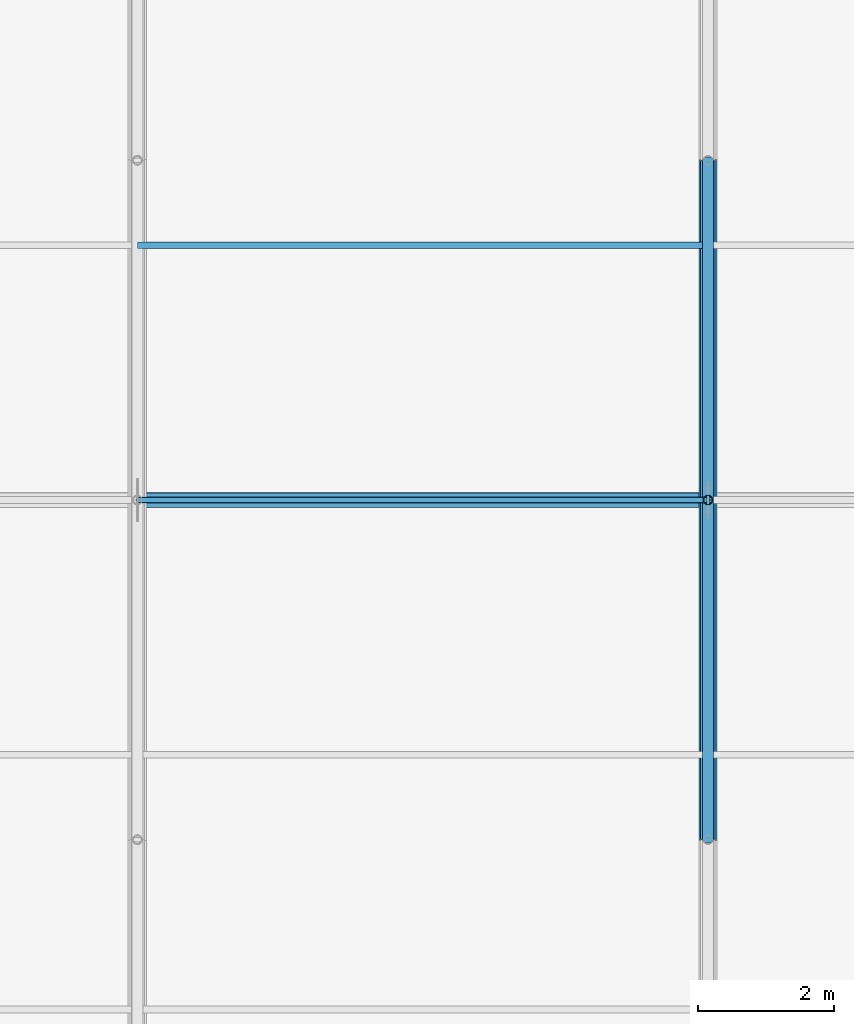
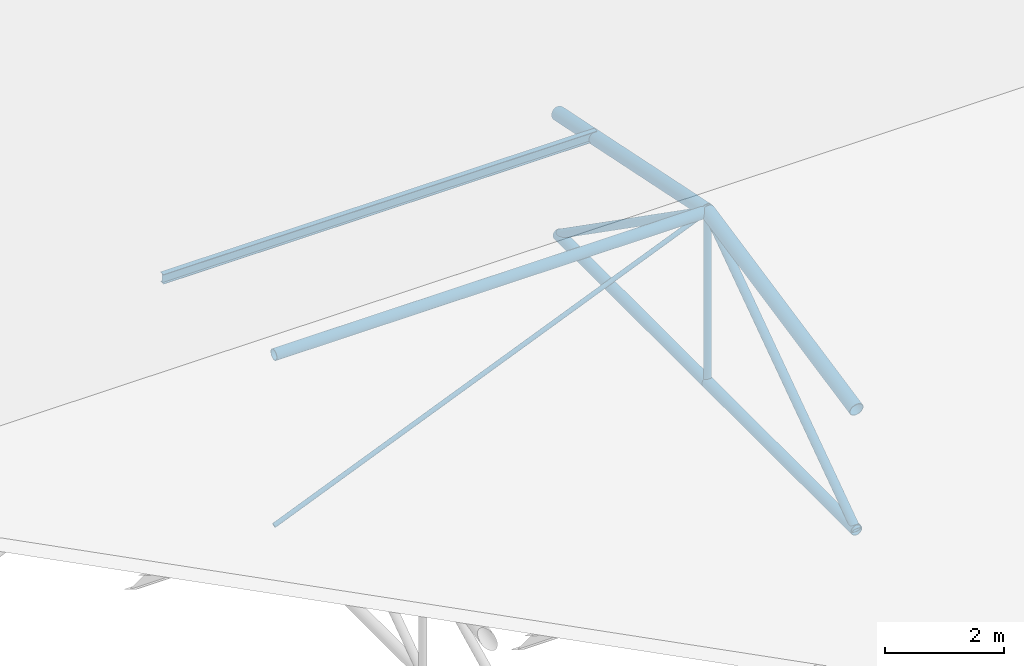
# One storey, part 55 of 194: 9 members, 1 beam.
"""IFC4 building model written with IfcOpenShell, lengths in metres."""

from ifc_helpers import new_model, si_unit, direction, frame, origin, origin_2d, place, context, subcontext, project, spatial, hollow_circle, i_section, extrude, material, material_profile, profile_set, type_object, element, save


model = new_model("IFC4")

# Units and contexts
model_context = context("Model", 3, precision=1e-05, world=origin(), true_north=direction((0.0, 1.0)))
body_context = subcontext(model_context, "Body", "Model", "MODEL_VIEW")
ifc_project = project(units=[si_unit("LENGTHUNIT", "METRE"), si_unit("AREAUNIT", "SQUARE_METRE"), si_unit("VOLUMEUNIT", "CUBIC_METRE"), si_unit("PLANEANGLEUNIT", "RADIAN"), si_unit("MASSUNIT", "GRAM", prefix="KILO")], contexts=[model_context])

# Site, building, storey
site_placement = place(None, origin())
site = spatial("IfcSite", under=ifc_project, at=site_placement, CompositionType="ELEMENT")
building_placement = place(site_placement, origin())
building = spatial("IfcBuilding", under=site, at=building_placement, Name="Kazenagashi Tramway Depot", CompositionType="ELEMENT")
storey_placement = place(building_placement, frame((0.0, 0.0, 23.7)))
storey = spatial("IfcBuildingStorey", under=building, at=storey_placement, Name="ROOF", CompositionType="ELEMENT", Elevation=23.7)

# Beam
ifc_material_1 = material(Name="Steel SN400B", Category="steel")
ifc_material_profile_1 = material_profile(ifc_material_1, i_section(OverallWidth=0.1, OverallDepth=0.2, WebThickness=0.0055, FlangeThickness=0.008, at=origin_2d()), Name="H-200x100x5.5x8")
ifc_profile_set_1 = profile_set([ifc_material_profile_1], Name="Steel SN400B")
beam_type = type_object("IfcBeamType", Name="PR-01", PredefinedType="USERDEFINED", material=ifc_profile_set_1)
beam_placement = place(storey_placement, frame((95.2, 118.75, -11.305), z_axis=(1.0, 0.0, 0.0), x_axis=(0.0, 1.0, 0.0)))
element("IfcBeam", 1, at=beam_placement, inside=storey, type_object=beam_type, Name="Beam PR-01 BM-2186", ObjectType="PURLIN", PredefinedType="USERDEFINED", context=body_context, shape_type="SweptSolid", body=[
    extrude(i_section(OverallWidth=0.1, OverallDepth=0.2, WebThickness=0.0055, FlangeThickness=0.008, at=origin_2d()), origin(), (0.0, 0.0, 1.0), 8.4),
])

# Members
ifc_material_2 = material(Name="Steel STK490", Category="steel")
ifc_material_profile_2 = material_profile(ifc_material_2, hollow_circle(Radius=0.1337, WallThickness=0.0093, at=origin_2d()), Name="CHS-267.4x9.3")
ifc_profile_set_2 = profile_set([ifc_material_profile_2], Name="Steel STK490")
member_type_1 = type_object("IfcMemberType", Name="TC-01", PredefinedType="CHORD", material=ifc_profile_set_2)
for number, where, z_axis, x_axis, name in (
    (2, (103.6, 110.0, -11.633), (0.0, 0.979317999984, 0.202327098797), (-1.0, 0.0, 0.0), "Tubular Space Frame TC-01 MEM-0465"),
    (3, (103.6, 115.0, -10.6), (0.0, 0.979317999984, -0.202327098797), (-1.0, 0.0, 0.0), "Tubular Space Frame TC-01 MEM-0468"),
):
    element("IfcMember", number, at=place(storey_placement, frame(where, z_axis=z_axis, x_axis=x_axis)), inside=storey, type_object=member_type_1, Name=name, PredefinedType="CHORD", context=body_context, shape_type="SweptSolid", body=[
        extrude(hollow_circle(Radius=0.1337, WallThickness=0.0093, at=origin_2d()), origin(), (0.0, 0.0, 1.0), 5.105594),
    ])
ifc_material_profile_3 = material_profile(ifc_material_2, hollow_circle(Radius=0.10815, WallThickness=0.0082, at=origin_2d()), Name="CHS-216.3x8.2")
ifc_profile_set_3 = profile_set([ifc_material_profile_3], Name="Steel STK490")
member_type_2 = type_object("IfcMemberType", Name="TC-02", PredefinedType="CHORD", material=ifc_profile_set_3)
member_1_placement = place(storey_placement, frame((95.2, 115.0, -10.6), z_axis=(1.0, 0.0, 0.0), x_axis=(0.0, 1.0, 0.0)))
element("IfcMember", 4, at=member_1_placement, inside=storey, type_object=member_type_2, Name="Tubular Space Frame TC-02 MEM-0424", PredefinedType="CHORD", context=body_context, shape_type="SweptSolid", body=[
    extrude(hollow_circle(Radius=0.10815, WallThickness=0.0082, at=origin_2d()), origin(), (0.0, 0.0, 1.0), 8.4),
])
for number, where, z_axis, x_axis, name in (
    (5, (103.6, 110.0, -14.1), (0.0, 1.0, 0.0), (-1.0, 0.0, 0.0), "Tubular Space Frame TC-02 MEM-0466"),
    (6, (103.6, 115.0, -14.1), (0.0, 1.0, 0.0), (-1.0, 0.0, 0.0), "Tubular Space Frame TC-02 MEM-0469"),
):
    element("IfcMember", number, at=place(storey_placement, frame(where, z_axis=z_axis, x_axis=x_axis)), inside=storey, type_object=member_type_2, Name=name, PredefinedType="CHORD", context=body_context, shape_type="SweptSolid", body=[
        extrude(hollow_circle(Radius=0.10815, WallThickness=0.0082, at=origin_2d()), origin(), (0.0, 0.0, 1.0), 5.0),
    ])
ifc_material_profile_4 = material_profile(ifc_material_2, hollow_circle(Radius=0.0826, WallThickness=0.0071, at=origin_2d()), Name="CHS-165.2x7.1")
ifc_profile_set_4 = profile_set([ifc_material_profile_4], Name="Steel STK490")
member_type_3 = type_object("IfcMemberType", Name="TS-01", PredefinedType="STRUT", material=ifc_profile_set_4)
for number, where, z_axis, x_axis, name in (
    (7, (103.6, 110.0, -14.1), (0.0, 0.819231920519, 0.573462344363), (-1.0, 0.0, 0.0), "Tubular Space Frame TS-01 MEM-0467"),
    (8, (103.6, 115.0, -10.6), (0.0, 0.819231920519, -0.573462344363), (-1.0, 0.0, 0.0), "Tubular Space Frame TS-01 MEM-0470"),
):
    element("IfcMember", number, at=place(storey_placement, frame(where, z_axis=z_axis, x_axis=x_axis)), inside=storey, type_object=member_type_3, Name=name, PredefinedType="STRUT", context=body_context, shape_type="SweptSolid", body=[
        extrude(hollow_circle(Radius=0.0826, WallThickness=0.0071, at=origin_2d()), origin(), (0.0, 0.0, 1.0), 6.103278),
    ])
ifc_material_profile_5 = material_profile(ifc_material_2, hollow_circle(Radius=0.0699, WallThickness=0.0066, at=origin_2d()), Name="CHS-139.8x6.6")
ifc_profile_set_5 = profile_set([ifc_material_profile_5], Name="Steel STK490")
member_type_4 = type_object("IfcMemberType", Name="TS-02", PredefinedType="STRUT", material=ifc_profile_set_5)
member_2_placement = place(storey_placement, frame((103.6, 115.0, -14.1), z_axis=(0.0, 0.0, 1.0), x_axis=(1.0, 0.0, 0.0)))
element("IfcMember", 9, at=member_2_placement, inside=storey, type_object=member_type_4, Name="Tubular Space Frame TS-02 MEM-0479", PredefinedType="STRUT", context=body_context, shape_type="SweptSolid", body=[
    extrude(hollow_circle(Radius=0.0699, WallThickness=0.0066, at=origin_2d()), origin(), (0.0, 0.0, 1.0), 3.5),
])
ifc_material_3 = material(Name="Steel STK400", Category="steel")
ifc_material_profile_6 = material_profile(ifc_material_3, hollow_circle(Radius=0.04455, WallThickness=0.0042, at=origin_2d()), Name="CHS-89.1x4.2")
ifc_profile_set_6 = profile_set([ifc_material_profile_6], Name="Steel STK400")
member_type_5 = type_object("IfcMemberType", Name="TS-04", PredefinedType="STRUT", material=ifc_profile_set_6)
member_3_placement = place(storey_placement, frame((95.2, 115.0, -14.1), z_axis=(0.923076923077, 0.0, 0.384615384615), x_axis=(0.0, 1.0, 0.0)))
element("IfcMember", 10, at=member_3_placement, inside=storey, type_object=member_type_5, Name="Tubular Space Frame TS-04 MEM-0425", PredefinedType="STRUT", context=body_context, shape_type="SweptSolid", body=[
    extrude(hollow_circle(Radius=0.04455, WallThickness=0.0042, at=origin_2d()), origin(), (0.0, 0.0, 1.0), 9.1),
])

save(model, "model.ifc")
